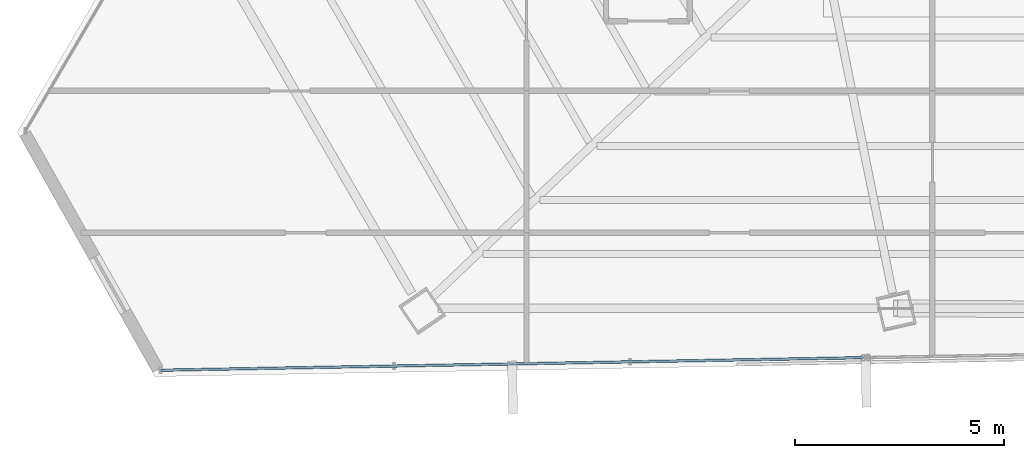
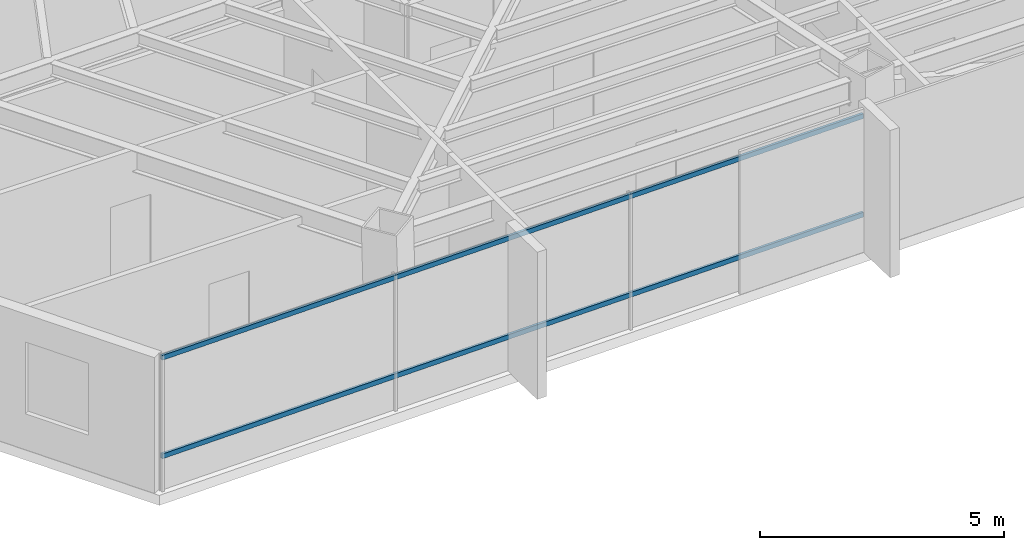
# One storey, part 4 of 42: 2 members, 1 element without a shape of its own.
"""IFC4 building model written with IfcOpenShell, lengths in metres."""

from ifc_helpers import new_model, si_unit, direction, frame, origin, origin_2d, place, context, subcontext, project, spatial, hollow_rectangle, extrude, source, transform, mapped, material, material_profile, profile_set, type_object, type_shapes, element, aggregate, save


model = new_model("IFC4")

# Units and contexts
model_context = context("Model", 3, precision=1e-05, world=origin(), true_north=direction((0.0, 1.0)))
body_context = subcontext(model_context, "Body", "Model", "MODEL_VIEW")
ifc_project = project(units=[si_unit("LENGTHUNIT", "METRE"), si_unit("AREAUNIT", "SQUARE_METRE"), si_unit("VOLUMEUNIT", "CUBIC_METRE"), si_unit("PLANEANGLEUNIT", "RADIAN"), si_unit("MASSUNIT", "GRAM", prefix="KILO")], contexts=[model_context])

# Site, building, storey
site_placement = place(None, origin())
site = spatial("IfcSite", under=ifc_project, at=site_placement, CompositionType="ELEMENT")
building_placement = place(site_placement, origin())
building = spatial("IfcBuilding", under=site, at=building_placement, Name="Caelisora Broadcast Tower", CompositionType="ELEMENT")
storey_placement = place(building_placement, frame((0.0, 0.0, 202.300048828125)))
storey = spatial("IfcBuildingStorey", under=building, at=storey_placement, Name="L53", CompositionType="ELEMENT", Elevation=202.300048828125)

# Curtain wall, members
ifc_material_1 = material(Name="Unitised Aluminium and Low-E Glass Curtain Wall", Category="glass")
curtain_wall_type = type_object("IfcCurtainWallType", Name="CW-Z4", PredefinedType="NOTDEFINED", material=ifc_material_1)
curtain_wall_placement = place(storey_placement, origin())
curtain_wall = element("IfcCurtainWall", 1, at=curtain_wall_placement, inside=storey, type_object=curtain_wall_type, Name="L53 curtain wall CW-Z4", PredefinedType="NOTDEFINED")
ifc_material_2 = material(Name="Aluminium 6063-T6 Anodised Terracotta Bronze", Category="aluminium")
ifc_material_profile = material_profile(ifc_material_2, hollow_rectangle(XDim=0.06005859375, YDim=0.1201171875, WallThickness=0.0029296875, at=origin_2d()), Name="Aluminium 6063-T6 Anodised Terracotta Bronze")
ifc_profile_set = profile_set([ifc_material_profile], Name="Aluminium 6063-T6 Anodised Terracotta Bronze")
member_type = type_object("IfcMemberType", Name="CWT-03", PredefinedType="USERDEFINED", material=ifc_profile_set)
shared_shape = source(origin(), body_context, "Body", "SweptSolid", [
    extrude(hollow_rectangle(XDim=0.06005859375, YDim=0.1201171875, WallThickness=0.0029296875, at=origin_2d()), origin(), (0.0, 0.0, 1.0), 16.8017578125),
])
type_shapes(member_type, [shared_shape])
member_1_placement = place(storey_placement, frame((31.552978515625, 7.154052734375, 0.849853515625), z_axis=(-0.999840529857, -0.017858187318, 0.0), x_axis=(0.017858187318, -0.999840529857, 0.0)))
member_1 = element("IfcMember", 2, at=member_1_placement, type_object=member_type, Name="L53-CW-B07 transom #1", ObjectType="TRANSOM", PredefinedType="USERDEFINED", context=body_context, shape_type="MappedRepresentation", body=[
    mapped(shared_shape, transform((0.0, 0.0, 0.0), scale=1.0)),
])
member_2_placement = place(storey_placement, frame((31.552978515625, 7.154052734375, 3.320068359375), z_axis=(-0.999840529857, -0.017858187318, 0.0), x_axis=(0.017858187318, -0.999840529857, 0.0)))
member_2 = element("IfcMember", 3, at=member_2_placement, type_object=member_type, Name="L53-CW-B07 transom #2", ObjectType="TRANSOM", PredefinedType="USERDEFINED", context=body_context, shape_type="MappedRepresentation", body=[
    mapped(shared_shape, transform((0.0, 0.0, 0.0), scale=1.0)),
])
aggregate(curtain_wall, [member_1, member_2])

save(model, "model.ifc")
